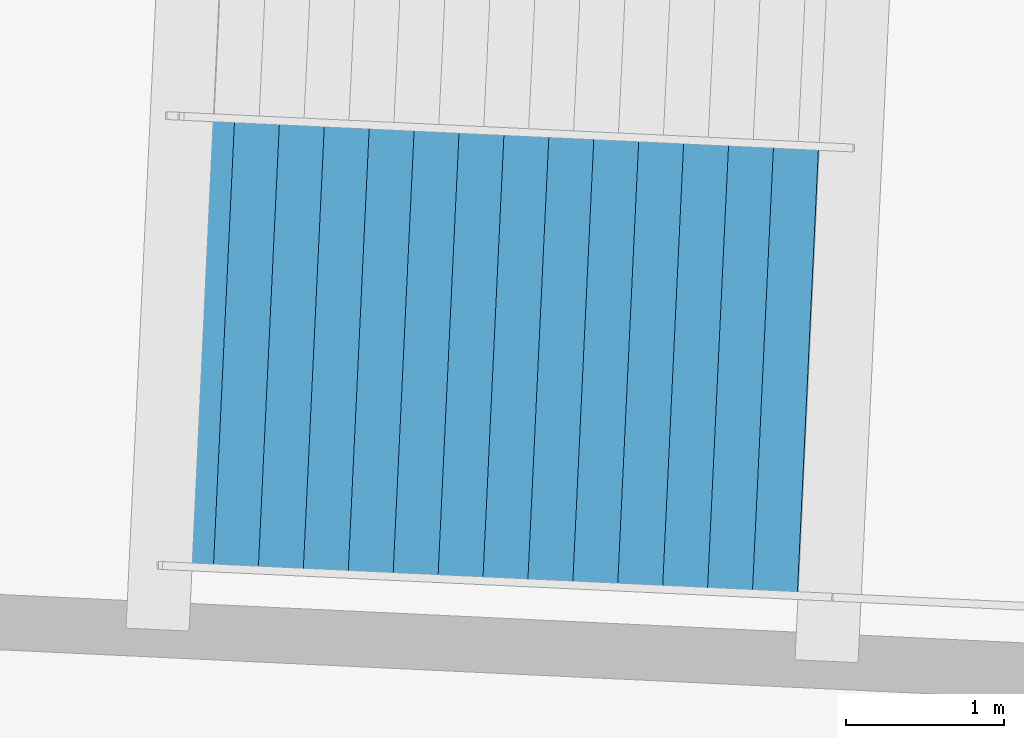
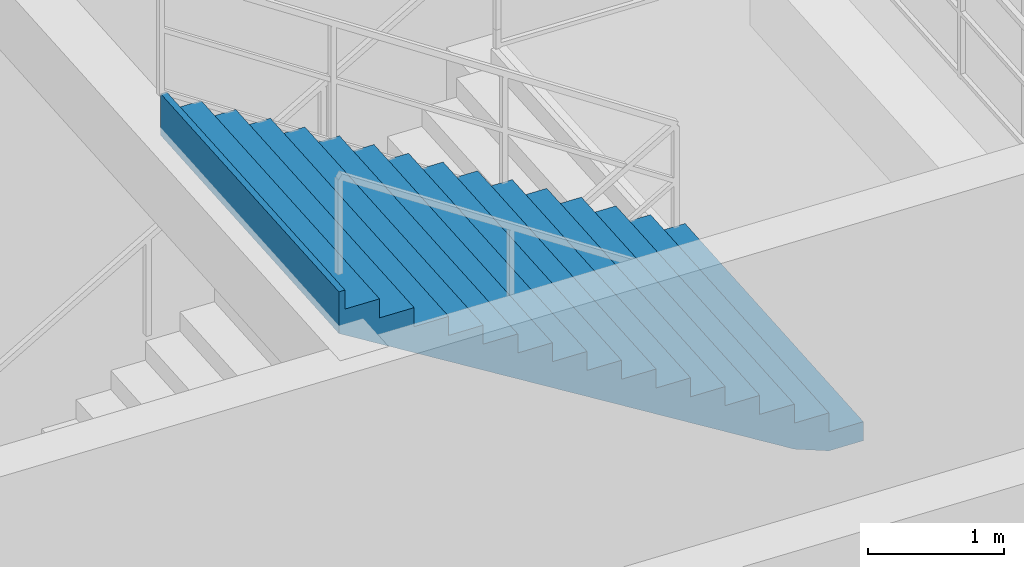
# One storey, part 23 of 49: 1 stair flight, 1 element without a shape of its own.
"""IFC4 building model written with IfcOpenShell, lengths in metres."""

from ifc_helpers import new_model, si_unit, direction, frame, origin, place, context, subcontext, project, spatial, polygons, material, type_object, element, aggregate, save


model = new_model("IFC4")

# Units and contexts
model_context = context("Model", 3, precision=1e-05, world=origin(), true_north=direction((0.0, 1.0)))
body_context = subcontext(model_context, "Body", "Model", "MODEL_VIEW")
ifc_project = project(units=[si_unit("LENGTHUNIT", "METRE"), si_unit("AREAUNIT", "SQUARE_METRE"), si_unit("VOLUMEUNIT", "CUBIC_METRE"), si_unit("PLANEANGLEUNIT", "RADIAN"), si_unit("MASSUNIT", "GRAM", prefix="KILO")], contexts=[model_context])

# Site, building, storey
site_placement = place(None, origin())
site = spatial("IfcSite", under=ifc_project, at=site_placement, CompositionType="ELEMENT")
building_placement = place(site_placement, origin())
building = spatial("IfcBuilding", under=site, at=building_placement, Name="Kazemori Nagisa Stadium", CompositionType="ELEMENT")
storey_placement = place(building_placement, frame((0.0, 0.0, -5.43994140625)))
storey = spatial("IfcBuildingStorey", under=building, at=storey_placement, Name="B1", CompositionType="ELEMENT", Elevation=-5.43994140625)

# Stair, stair flight
ifc_material = material(Name="Concrete C36/45 (Fc36)", Category="concrete")
stair_type = type_object("IfcStairType", Name="Stair_CORE_32", PredefinedType="TWO_STRAIGHT_RUN_STAIR", material=ifc_material)
stair_placement = place(storey_placement, origin())
stair = element("IfcStair", 1, at=stair_placement, inside=storey, type_object=stair_type, Name="Exit stair ST12 B1", PredefinedType="TWO_STRAIGHT_RUN_STAIR")
stair_flight_type = type_object("IfcStairFlightType", Name="Flight_CORE_16", PredefinedType="STRAIGHT", material=ifc_material)
stair_flight_placement = place(storey_placement, frame((111.443115234375, 20.96044921875, 2.719970703125), z_axis=(0.0, 0.0, 1.0), x_axis=(-0.99888410244, 0.047228697771, 0.0)))
stair_flight = element("IfcStairFlight", 2, at=stair_flight_placement, type_object=stair_flight_type, Name="Exit stair ST12 B1 flight 2", NumberOfRisers=16, NumberOfTreads=15, PredefinedType="STRAIGHT", RiserHeight=0.17, TreadLength=0.285, context=body_context, shape_type="Tessellation", body=[
    polygons([(0.0, -1.425048828125, 0.0), (0.0, -1.425048828125, 0.169921875), (0.284912109375, -1.425048828125, 0.169921875), (0.284912109375, -1.425048828125, 0.340087890625), (0.570068359375, -1.425048828125, 0.340087890625), (0.570068359375, -1.425048828125, 0.510009765625), (0.85498046875, -1.425048828125, 0.510009765625), (0.85498046875, -1.425048828125, 0.679931640625), (1.139892578125, -1.425048828125, 0.679931640625), (1.139892578125, -1.425048828125, 0.85009765625), (1.425048828125, -1.425048828125, 0.85009765625), (1.425048828125, -1.425048828125, 1.02001953125), (1.7099609375, -1.425048828125, 1.02001953125), (1.7099609375, -1.425048828125, 1.18994140625), (1.9951171875, -1.425048828125, 1.18994140625), (1.9951171875, -1.425048828125, 1.360107421875), (2.280029296875, -1.425048828125, 1.360107421875), (2.280029296875, -1.425048828125, 1.530029296875), (2.56494140625, -1.425048828125, 1.530029296875), (2.56494140625, -1.425048828125, 1.699951171875), (2.85009765625, -1.425048828125, 1.699951171875), (2.85009765625, -1.425048828125, 1.8701171875), (3.135009765625, -1.425048828125, 1.8701171875), (3.135009765625, -1.425048828125, 2.0400390625), (3.419921875, -1.425048828125, 2.0400390625), (3.419921875, -1.425048828125, 2.2099609375), (3.705078125, -1.425048828125, 2.2099609375), (3.705078125, -1.425048828125, 2.3798828125), (3.989990234375, -1.425048828125, 2.3798828125), (3.989990234375, -1.425048828125, 2.550048828125), (4.27490234375, -1.425048828125, 2.550048828125), (4.27490234375, -1.425048828125, 2.719970703125), (4.324951171875, -1.425048828125, 2.719970703125), (4.324951171875, -1.425048828125, 2.346923828125), (4.27490234375, -1.425048828125, 2.317138671875), (3.989990234375, -1.425048828125, 2.147216796875), (3.705078125, -1.425048828125, 1.977294921875), (3.419921875, -1.425048828125, 1.80712890625), (3.135009765625, -1.425048828125, 1.63720703125), (2.85009765625, -1.425048828125, 1.46728515625), (2.56494140625, -1.425048828125, 1.297119140625), (2.280029296875, -1.425048828125, 1.127197265625), (1.9951171875, -1.425048828125, 0.957275390625), (1.7099609375, -1.425048828125, 0.787109375), (1.425048828125, -1.425048828125, 0.6171875), (1.139892578125, -1.425048828125, 0.447265625), (0.85498046875, -1.425048828125, 0.277099609375), (0.570068359375, -1.425048828125, 0.107177734375), (0.284912109375, -1.425048828125, 0.0), (0.0, -0.08544921875, 0.0), (0.0, -0.08544921875, 0.169921875), (0.284912109375, -0.08544921875, 0.169921875), (0.284912109375, -0.08544921875, 0.340087890625), (0.570068359375, -0.08544921875, 0.340087890625), (0.570068359375, -0.08544921875, 0.510009765625), (0.85498046875, -0.08544921875, 0.510009765625), (0.85498046875, -0.08544921875, 0.679931640625), (1.139892578125, -0.08544921875, 0.679931640625), (1.139892578125, -0.08544921875, 0.85009765625), (1.425048828125, -0.08544921875, 0.85009765625), (1.425048828125, -0.08544921875, 1.02001953125), (1.7099609375, -0.08544921875, 1.02001953125), (1.7099609375, -0.08544921875, 1.18994140625), (1.9951171875, -0.08544921875, 1.18994140625), (1.9951171875, -0.08544921875, 1.360107421875), (2.280029296875, -0.08544921875, 1.360107421875), (2.280029296875, -0.08544921875, 1.530029296875), (2.56494140625, -0.08544921875, 1.530029296875), (2.56494140625, -0.08544921875, 1.699951171875), (2.85009765625, -0.08544921875, 1.699951171875), (2.85009765625, -0.08544921875, 1.8701171875), (3.135009765625, -0.08544921875, 1.8701171875), (3.135009765625, -0.08544921875, 2.0400390625), (3.419921875, -0.08544921875, 2.0400390625), (3.419921875, -0.08544921875, 2.2099609375), (3.705078125, -0.08544921875, 2.2099609375), (3.705078125, -0.08544921875, 2.3798828125), (3.989990234375, -0.08544921875, 2.3798828125), (3.989990234375, -0.08544921875, 2.550048828125), (4.27490234375, -0.08544921875, 2.550048828125), (4.27490234375, -0.08544921875, 2.719970703125), (4.324951171875, -0.08544921875, 2.719970703125), (4.324951171875, -0.08544921875, 2.346923828125), (4.27490234375, -0.08544921875, 2.317138671875), (3.989990234375, -0.08544921875, 2.147216796875), (3.705078125, -0.08544921875, 1.977294921875), (3.419921875, -0.08544921875, 1.80712890625), (3.135009765625, -0.08544921875, 1.63720703125), (2.85009765625, -0.08544921875, 1.46728515625), (2.56494140625, -0.08544921875, 1.297119140625), (2.280029296875, -0.08544921875, 1.127197265625), (1.9951171875, -0.08544921875, 0.957275390625), (1.7099609375, -0.08544921875, 0.787109375), (1.425048828125, -0.08544921875, 0.6171875), (1.139892578125, -0.08544921875, 0.447265625), (0.85498046875, -0.08544921875, 0.277099609375), (0.570068359375, -0.08544921875, 0.107177734375), (0.284912109375, -0.08544921875, 0.0), (0.0, 0.0, 0.0), (0.0, 0.0, 0.169921875), (0.284912109375, 0.0, 0.169921875), (0.284912109375, 0.0, 0.340087890625), (0.570068359375, 0.0, 0.340087890625), (0.570068359375, 0.0, 0.510009765625), (0.85498046875, 0.0, 0.510009765625), (0.85498046875, 0.0, 0.679931640625), (1.139892578125, 0.0, 0.679931640625), (1.139892578125, 0.0, 0.85009765625), (1.425048828125, 0.0, 0.85009765625), (1.425048828125, 0.0, 1.02001953125), (1.7099609375, 0.0, 1.02001953125), (1.7099609375, 0.0, 1.18994140625), (1.9951171875, 0.0, 1.18994140625), (1.9951171875, 0.0, 1.360107421875), (2.280029296875, 0.0, 1.360107421875), (2.280029296875, 0.0, 1.530029296875), (2.56494140625, 0.0, 1.530029296875), (2.56494140625, 0.0, 1.699951171875), (2.85009765625, 0.0, 1.699951171875), (2.85009765625, 0.0, 1.8701171875), (3.135009765625, 0.0, 1.8701171875), (3.135009765625, 0.0, 2.0400390625), (3.419921875, 0.0, 2.0400390625), (3.419921875, 0.0, 2.2099609375), (3.705078125, 0.0, 2.2099609375), (3.705078125, 0.0, 2.3798828125), (3.989990234375, 0.0, 2.3798828125), (3.989990234375, 0.0, 2.550048828125), (4.27490234375, 0.0, 2.550048828125), (4.27490234375, 0.0, 2.719970703125), (4.324951171875, 0.0, 2.719970703125), (4.324951171875, 0.0, 2.346923828125), (4.27490234375, 0.0, 2.317138671875), (3.989990234375, 0.0, 2.147216796875), (3.705078125, 0.0, 1.977294921875), (3.419921875, 0.0, 1.80712890625), (3.135009765625, 0.0, 1.63720703125), (2.85009765625, 0.0, 1.46728515625), (2.56494140625, 0.0, 1.297119140625), (2.280029296875, 0.0, 1.127197265625), (1.9951171875, 0.0, 0.957275390625), (1.7099609375, 0.0, 0.787109375), (1.425048828125, 0.0, 0.6171875), (1.139892578125, 0.0, 0.447265625), (0.85498046875, 0.0, 0.277099609375), (0.570068359375, 0.0, 0.107177734375), (0.284912109375, 0.0, 0.0), (0.0, 0.08544921875, 0.0), (0.0, 0.08544921875, 0.169921875), (0.284912109375, 0.08544921875, 0.169921875), (0.284912109375, 0.08544921875, 0.340087890625), (0.570068359375, 0.08544921875, 0.340087890625), (0.570068359375, 0.08544921875, 0.510009765625), (0.85498046875, 0.08544921875, 0.510009765625), (0.85498046875, 0.08544921875, 0.679931640625), (1.139892578125, 0.08544921875, 0.679931640625), (1.139892578125, 0.08544921875, 0.85009765625), (1.425048828125, 0.08544921875, 0.85009765625), (1.425048828125, 0.08544921875, 1.02001953125), (1.7099609375, 0.08544921875, 1.02001953125), (1.7099609375, 0.08544921875, 1.18994140625), (1.9951171875, 0.08544921875, 1.18994140625), (1.9951171875, 0.08544921875, 1.360107421875), (2.280029296875, 0.08544921875, 1.360107421875), (2.280029296875, 0.08544921875, 1.530029296875), (2.56494140625, 0.08544921875, 1.530029296875), (2.56494140625, 0.08544921875, 1.699951171875), (2.85009765625, 0.08544921875, 1.699951171875), (2.85009765625, 0.08544921875, 1.8701171875), (3.135009765625, 0.08544921875, 1.8701171875), (3.135009765625, 0.08544921875, 2.0400390625), (3.419921875, 0.08544921875, 2.0400390625), (3.419921875, 0.08544921875, 2.2099609375), (3.705078125, 0.08544921875, 2.2099609375), (3.705078125, 0.08544921875, 2.3798828125), (3.989990234375, 0.08544921875, 2.3798828125), (3.989990234375, 0.08544921875, 2.550048828125), (4.27490234375, 0.08544921875, 2.550048828125), (4.27490234375, 0.08544921875, 2.719970703125), (4.324951171875, 0.08544921875, 2.719970703125), (4.324951171875, 0.08544921875, 2.346923828125), (4.27490234375, 0.08544921875, 2.317138671875), (3.989990234375, 0.08544921875, 2.147216796875), (3.705078125, 0.08544921875, 1.977294921875), (3.419921875, 0.08544921875, 1.80712890625), (3.135009765625, 0.08544921875, 1.63720703125), (2.85009765625, 0.08544921875, 1.46728515625), (2.56494140625, 0.08544921875, 1.297119140625), (2.280029296875, 0.08544921875, 1.127197265625), (1.9951171875, 0.08544921875, 0.957275390625), (1.7099609375, 0.08544921875, 0.787109375), (1.425048828125, 0.08544921875, 0.6171875), (1.139892578125, 0.08544921875, 0.447265625), (0.85498046875, 0.08544921875, 0.277099609375), (0.570068359375, 0.08544921875, 0.107177734375), (0.284912109375, 0.08544921875, 0.0), (0.0, 1.425048828125, 0.0), (0.0, 1.425048828125, 0.169921875), (0.284912109375, 1.425048828125, 0.169921875), (0.284912109375, 1.425048828125, 0.340087890625), (0.570068359375, 1.425048828125, 0.340087890625), (0.570068359375, 1.425048828125, 0.510009765625), (0.85498046875, 1.425048828125, 0.510009765625), (0.85498046875, 1.425048828125, 0.679931640625), (1.139892578125, 1.425048828125, 0.679931640625), (1.139892578125, 1.425048828125, 0.85009765625), (1.425048828125, 1.425048828125, 0.85009765625), (1.425048828125, 1.425048828125, 1.02001953125), (1.7099609375, 1.425048828125, 1.02001953125), (1.7099609375, 1.425048828125, 1.18994140625), (1.9951171875, 1.425048828125, 1.18994140625), (1.9951171875, 1.425048828125, 1.360107421875), (2.280029296875, 1.425048828125, 1.360107421875), (2.280029296875, 1.425048828125, 1.530029296875), (2.56494140625, 1.425048828125, 1.530029296875), (2.56494140625, 1.425048828125, 1.699951171875), (2.85009765625, 1.425048828125, 1.699951171875), (2.85009765625, 1.425048828125, 1.8701171875), (3.135009765625, 1.425048828125, 1.8701171875), (3.135009765625, 1.425048828125, 2.0400390625), (3.419921875, 1.425048828125, 2.0400390625), (3.419921875, 1.425048828125, 2.2099609375), (3.705078125, 1.425048828125, 2.2099609375), (3.705078125, 1.425048828125, 2.3798828125), (3.989990234375, 1.425048828125, 2.3798828125), (3.989990234375, 1.425048828125, 2.550048828125), (4.27490234375, 1.425048828125, 2.550048828125), (4.27490234375, 1.425048828125, 2.719970703125), (4.324951171875, 1.425048828125, 2.719970703125), (4.324951171875, 1.425048828125, 2.346923828125), (4.27490234375, 1.425048828125, 2.317138671875), (3.989990234375, 1.425048828125, 2.147216796875), (3.705078125, 1.425048828125, 1.977294921875), (3.419921875, 1.425048828125, 1.80712890625), (3.135009765625, 1.425048828125, 1.63720703125), (2.85009765625, 1.425048828125, 1.46728515625), (2.56494140625, 1.425048828125, 1.297119140625), (2.280029296875, 1.425048828125, 1.127197265625), (1.9951171875, 1.425048828125, 0.957275390625), (1.7099609375, 1.425048828125, 0.787109375), (1.425048828125, 1.425048828125, 0.6171875), (1.139892578125, 1.425048828125, 0.447265625), (0.85498046875, 1.425048828125, 0.277099609375), (0.570068359375, 1.425048828125, 0.107177734375), (0.284912109375, 1.425048828125, 0.0)], [[[1, 2, 51]], [[1, 51, 50]], [[2, 3, 52]], [[2, 52, 51]], [[3, 4, 53]], [[3, 53, 52]], [[4, 5, 54]], [[4, 54, 53]], [[5, 6, 55]], [[5, 55, 54]], [[6, 7, 56]], [[6, 56, 55]], [[7, 8, 57]], [[7, 57, 56]], [[8, 9, 58]], [[8, 58, 57]], [[9, 10, 59]], [[9, 59, 58]], [[10, 11, 60]], [[10, 60, 59]], [[11, 12, 61]], [[11, 61, 60]], [[12, 13, 62]], [[12, 62, 61]], [[13, 14, 63]], [[13, 63, 62]], [[14, 15, 64]], [[14, 64, 63]], [[15, 16, 65]], [[15, 65, 64]], [[16, 17, 66]], [[16, 66, 65]], [[17, 18, 67]], [[17, 67, 66]], [[18, 19, 68]], [[18, 68, 67]], [[19, 20, 69]], [[19, 69, 68]], [[20, 21, 70]], [[20, 70, 69]], [[21, 22, 71]], [[21, 71, 70]], [[22, 23, 72]], [[22, 72, 71]], [[23, 24, 73]], [[23, 73, 72]], [[24, 25, 74]], [[24, 74, 73]], [[25, 26, 75]], [[25, 75, 74]], [[26, 27, 76]], [[26, 76, 75]], [[27, 28, 77]], [[27, 77, 76]], [[28, 29, 78]], [[28, 78, 77]], [[29, 30, 79]], [[29, 79, 78]], [[30, 31, 80]], [[30, 80, 79]], [[31, 32, 81]], [[31, 81, 80]], [[32, 33, 82]], [[32, 82, 81]], [[33, 34, 83]], [[33, 83, 82]], [[34, 35, 84]], [[34, 84, 83]], [[35, 36, 85]], [[35, 85, 84]], [[36, 37, 86]], [[36, 86, 85]], [[37, 38, 87]], [[37, 87, 86]], [[38, 39, 88]], [[38, 88, 87]], [[39, 40, 89]], [[39, 89, 88]], [[40, 41, 90]], [[40, 90, 89]], [[41, 42, 91]], [[41, 91, 90]], [[42, 43, 92]], [[42, 92, 91]], [[43, 44, 93]], [[43, 93, 92]], [[44, 45, 94]], [[44, 94, 93]], [[45, 46, 95]], [[45, 95, 94]], [[46, 47, 96]], [[46, 96, 95]], [[47, 48, 97]], [[47, 97, 96]], [[48, 49, 98]], [[48, 98, 97]], [[49, 1, 50]], [[49, 50, 98]], [[50, 51, 100]], [[50, 100, 99]], [[51, 52, 101]], [[51, 101, 100]], [[52, 53, 102]], [[52, 102, 101]], [[53, 54, 103]], [[53, 103, 102]], [[54, 55, 104]], [[54, 104, 103]], [[55, 56, 105]], [[55, 105, 104]], [[56, 57, 106]], [[56, 106, 105]], [[57, 58, 107]], [[57, 107, 106]], [[58, 59, 108]], [[58, 108, 107]], [[59, 60, 109]], [[59, 109, 108]], [[60, 61, 110]], [[60, 110, 109]], [[61, 62, 111]], [[61, 111, 110]], [[62, 63, 112]], [[62, 112, 111]], [[63, 64, 113]], [[63, 113, 112]], [[64, 65, 114]], [[64, 114, 113]], [[65, 66, 115]], [[65, 115, 114]], [[66, 67, 116]], [[66, 116, 115]], [[67, 68, 117]], [[67, 117, 116]], [[68, 69, 118]], [[68, 118, 117]], [[69, 70, 119]], [[69, 119, 118]], [[70, 71, 120]], [[70, 120, 119]], [[71, 72, 121]], [[71, 121, 120]], [[72, 73, 122]], [[72, 122, 121]], [[73, 74, 123]], [[73, 123, 122]], [[74, 75, 124]], [[74, 124, 123]], [[75, 76, 125]], [[75, 125, 124]], [[76, 77, 126]], [[76, 126, 125]], [[77, 78, 127]], [[77, 127, 126]], [[78, 79, 128]], [[78, 128, 127]], [[79, 80, 129]], [[79, 129, 128]], [[80, 81, 130]], [[80, 130, 129]], [[81, 82, 131]], [[81, 131, 130]], [[82, 83, 132]], [[82, 132, 131]], [[83, 84, 133]], [[83, 133, 132]], [[84, 85, 134]], [[84, 134, 133]], [[85, 86, 135]], [[85, 135, 134]], [[86, 87, 136]], [[86, 136, 135]], [[87, 88, 137]], [[87, 137, 136]], [[88, 89, 138]], [[88, 138, 137]], [[89, 90, 139]], [[89, 139, 138]], [[90, 91, 140]], [[90, 140, 139]], [[91, 92, 141]], [[91, 141, 140]], [[92, 93, 142]], [[92, 142, 141]], [[93, 94, 143]], [[93, 143, 142]], [[94, 95, 144]], [[94, 144, 143]], [[95, 96, 145]], [[95, 145, 144]], [[96, 97, 146]], [[96, 146, 145]], [[97, 98, 147]], [[97, 147, 146]], [[98, 50, 99]], [[98, 99, 147]], [[99, 100, 149]], [[99, 149, 148]], [[100, 101, 150]], [[100, 150, 149]], [[101, 102, 151]], [[101, 151, 150]], [[102, 103, 152]], [[102, 152, 151]], [[103, 104, 153]], [[103, 153, 152]], [[104, 105, 154]], [[104, 154, 153]], [[105, 106, 155]], [[105, 155, 154]], [[106, 107, 156]], [[106, 156, 155]], [[107, 108, 157]], [[107, 157, 156]], [[108, 109, 158]], [[108, 158, 157]], [[109, 110, 159]], [[109, 159, 158]], [[110, 111, 160]], [[110, 160, 159]], [[111, 112, 161]], [[111, 161, 160]], [[112, 113, 162]], [[112, 162, 161]], [[113, 114, 163]], [[113, 163, 162]], [[114, 115, 164]], [[114, 164, 163]], [[115, 116, 165]], [[115, 165, 164]], [[116, 117, 166]], [[116, 166, 165]], [[117, 118, 167]], [[117, 167, 166]], [[118, 119, 168]], [[118, 168, 167]], [[119, 120, 169]], [[119, 169, 168]], [[120, 121, 170]], [[120, 170, 169]], [[121, 122, 171]], [[121, 171, 170]], [[122, 123, 172]], [[122, 172, 171]], [[123, 124, 173]], [[123, 173, 172]], [[124, 125, 174]], [[124, 174, 173]], [[125, 126, 175]], [[125, 175, 174]], [[126, 127, 176]], [[126, 176, 175]], [[127, 128, 177]], [[127, 177, 176]], [[128, 129, 178]], [[128, 178, 177]], [[129, 130, 179]], [[129, 179, 178]], [[130, 131, 180]], [[130, 180, 179]], [[131, 132, 181]], [[131, 181, 180]], [[132, 133, 182]], [[132, 182, 181]], [[133, 134, 183]], [[133, 183, 182]], [[134, 135, 184]], [[134, 184, 183]], [[135, 136, 185]], [[135, 185, 184]], [[136, 137, 186]], [[136, 186, 185]], [[137, 138, 187]], [[137, 187, 186]], [[138, 139, 188]], [[138, 188, 187]], [[139, 140, 189]], [[139, 189, 188]], [[140, 141, 190]], [[140, 190, 189]], [[141, 142, 191]], [[141, 191, 190]], [[142, 143, 192]], [[142, 192, 191]], [[143, 144, 193]], [[143, 193, 192]], [[144, 145, 194]], [[144, 194, 193]], [[145, 146, 195]], [[145, 195, 194]], [[146, 147, 196]], [[146, 196, 195]], [[147, 99, 148]], [[147, 148, 196]], [[148, 149, 198]], [[148, 198, 197]], [[149, 150, 199]], [[149, 199, 198]], [[150, 151, 200]], [[150, 200, 199]], [[151, 152, 201]], [[151, 201, 200]], [[152, 153, 202]], [[152, 202, 201]], [[153, 154, 203]], [[153, 203, 202]], [[154, 155, 204]], [[154, 204, 203]], [[155, 156, 205]], [[155, 205, 204]], [[156, 157, 206]], [[156, 206, 205]], [[157, 158, 207]], [[157, 207, 206]], [[158, 159, 208]], [[158, 208, 207]], [[159, 160, 209]], [[159, 209, 208]], [[160, 161, 210]], [[160, 210, 209]], [[161, 162, 211]], [[161, 211, 210]], [[162, 163, 212]], [[162, 212, 211]], [[163, 164, 213]], [[163, 213, 212]], [[164, 165, 214]], [[164, 214, 213]], [[165, 166, 215]], [[165, 215, 214]], [[166, 167, 216]], [[166, 216, 215]], [[167, 168, 217]], [[167, 217, 216]], [[168, 169, 218]], [[168, 218, 217]], [[169, 170, 219]], [[169, 219, 218]], [[170, 171, 220]], [[170, 220, 219]], [[171, 172, 221]], [[171, 221, 220]], [[172, 173, 222]], [[172, 222, 221]], [[173, 174, 223]], [[173, 223, 222]], [[174, 175, 224]], [[174, 224, 223]], [[175, 176, 225]], [[175, 225, 224]], [[176, 177, 226]], [[176, 226, 225]], [[177, 178, 227]], [[177, 227, 226]], [[178, 179, 228]], [[178, 228, 227]], [[179, 180, 229]], [[179, 229, 228]], [[180, 181, 230]], [[180, 230, 229]], [[181, 182, 231]], [[181, 231, 230]], [[182, 183, 232]], [[182, 232, 231]], [[183, 184, 233]], [[183, 233, 232]], [[184, 185, 234]], [[184, 234, 233]], [[185, 186, 235]], [[185, 235, 234]], [[186, 187, 236]], [[186, 236, 235]], [[187, 188, 237]], [[187, 237, 236]], [[188, 189, 238]], [[188, 238, 237]], [[189, 190, 239]], [[189, 239, 238]], [[190, 191, 240]], [[190, 240, 239]], [[191, 192, 241]], [[191, 241, 240]], [[192, 193, 242]], [[192, 242, 241]], [[193, 194, 243]], [[193, 243, 242]], [[194, 195, 244]], [[194, 244, 243]], [[195, 196, 245]], [[195, 245, 244]], [[196, 148, 197]], [[196, 197, 245]], [[3, 2, 1]], [[197, 198, 199]], [[49, 3, 1]], [[197, 199, 245]], [[48, 3, 49]], [[245, 199, 244]], [[5, 3, 48]], [[244, 199, 201]], [[5, 4, 3]], [[199, 200, 201]], [[47, 5, 48]], [[244, 201, 243]], [[7, 5, 47]], [[243, 201, 203]], [[7, 6, 5]], [[201, 202, 203]], [[46, 7, 47]], [[243, 203, 242]], [[9, 7, 46]], [[242, 203, 205]], [[9, 8, 7]], [[203, 204, 205]], [[45, 9, 46]], [[242, 205, 241]], [[11, 9, 45]], [[241, 205, 207]], [[11, 10, 9]], [[205, 206, 207]], [[44, 11, 45]], [[241, 207, 240]], [[13, 11, 44]], [[240, 207, 209]], [[13, 12, 11]], [[207, 208, 209]], [[43, 13, 44]], [[240, 209, 239]], [[15, 13, 43]], [[239, 209, 211]], [[15, 14, 13]], [[209, 210, 211]], [[42, 15, 43]], [[239, 211, 238]], [[17, 15, 42]], [[238, 211, 213]], [[17, 16, 15]], [[211, 212, 213]], [[41, 17, 42]], [[238, 213, 237]], [[19, 17, 41]], [[237, 213, 215]], [[19, 18, 17]], [[213, 214, 215]], [[40, 19, 41]], [[237, 215, 236]], [[21, 19, 40]], [[236, 215, 217]], [[21, 20, 19]], [[215, 216, 217]], [[39, 21, 40]], [[236, 217, 235]], [[23, 21, 39]], [[235, 217, 219]], [[23, 22, 21]], [[217, 218, 219]], [[38, 23, 39]], [[235, 219, 234]], [[25, 23, 38]], [[234, 219, 221]], [[25, 24, 23]], [[219, 220, 221]], [[37, 25, 38]], [[234, 221, 233]], [[27, 25, 37]], [[233, 221, 223]], [[27, 26, 25]], [[221, 222, 223]], [[36, 27, 37]], [[233, 223, 232]], [[29, 27, 36]], [[232, 223, 225]], [[29, 28, 27]], [[223, 224, 225]], [[35, 29, 36]], [[232, 225, 231]], [[31, 29, 35]], [[231, 225, 227]], [[31, 30, 29]], [[225, 226, 227]], [[34, 31, 35]], [[231, 227, 230]], [[33, 31, 34]], [[230, 227, 229]], [[33, 32, 31]], [[227, 228, 229]]], closed=True),
])
aggregate(stair, [stair_flight])

save(model, "model.ifc")
